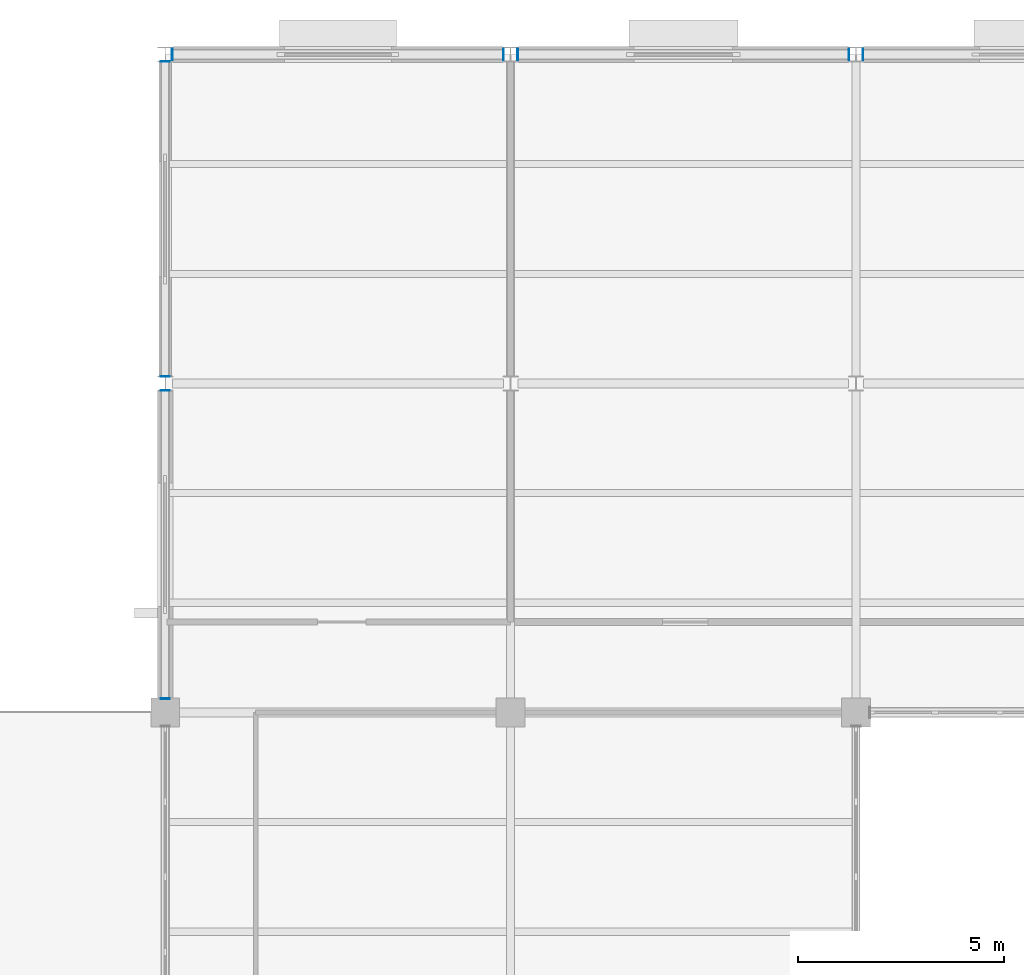
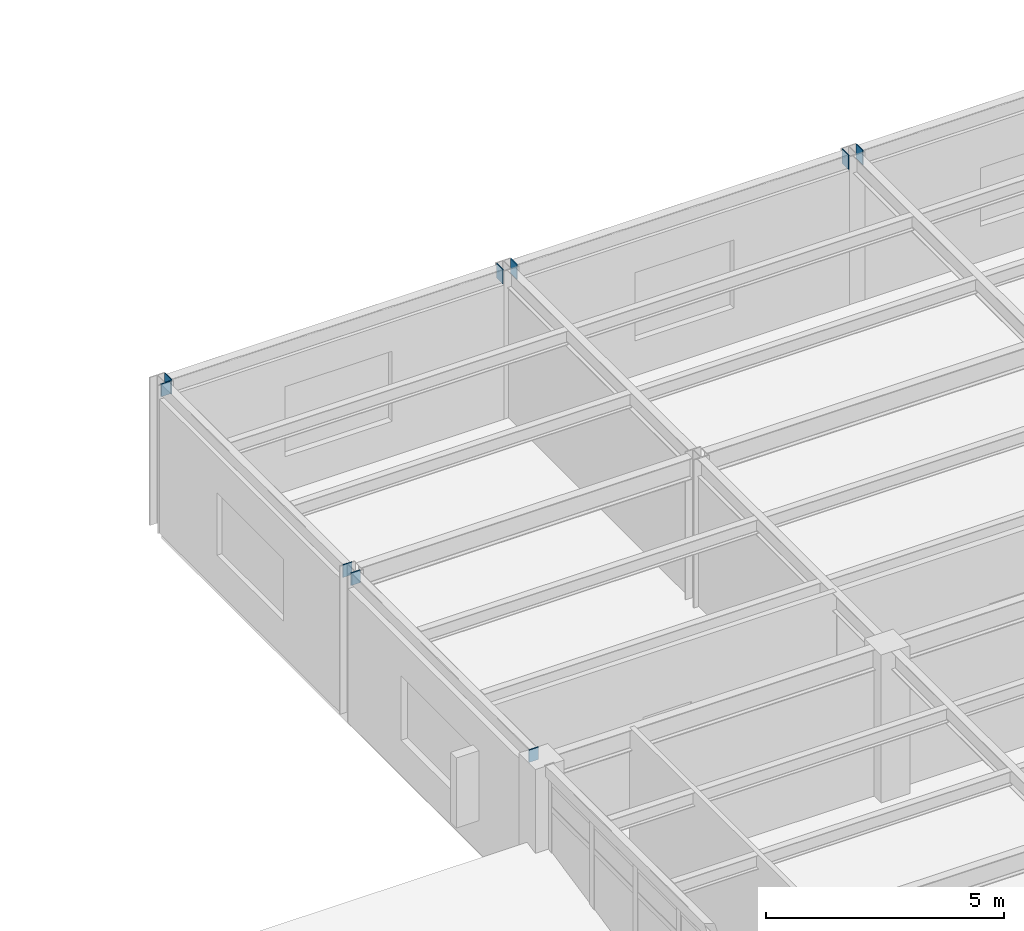
# One storey, part 117 of 138: 9 discrete accessories.
"""IFC4 building model written with IfcOpenShell, lengths in metres."""

from ifc_helpers import new_model, si_unit, direction, frame, origin, origin_2d, place, context, subcontext, project, spatial, rectangle, extrude, material, layer, layer_set, type_object, element, save


model = new_model("IFC4")

# Units and contexts
model_context = context("Model", 3, precision=1e-05, world=origin(), true_north=direction((0.0, 1.0)))
body_context = subcontext(model_context, "Body", "Model", "MODEL_VIEW")
ifc_project = project(units=[si_unit("LENGTHUNIT", "METRE"), si_unit("AREAUNIT", "SQUARE_METRE"), si_unit("VOLUMEUNIT", "CUBIC_METRE"), si_unit("PLANEANGLEUNIT", "RADIAN"), si_unit("MASSUNIT", "GRAM", prefix="KILO")], contexts=[model_context])

# Site, building, storey
site_placement = place(None, origin())
site = spatial("IfcSite", under=ifc_project, at=site_placement, CompositionType="ELEMENT")
building_placement = place(site_placement, origin())
building = spatial("IfcBuilding", under=site, at=building_placement, Name="Kranzveld Transit Interchange", CompositionType="ELEMENT")
storey_placement = place(building_placement, frame((0.0, 0.0, 5.43994140625)))
storey = spatial("IfcBuildingStorey", under=building, at=storey_placement, Name="L01", CompositionType="ELEMENT", Elevation=5.43994140625)

# Discrete accessories
ifc_material = material(Name="Steel S355JR", Category="steel")
ifc_layer = layer(ifc_material, 0.02001953125)
ifc_layer_set = layer_set([ifc_layer], Name="Steel S355JR")
discrete_accessory_type = type_object("IfcDiscreteAccessoryType", Name="Hollow Section End Cap Bracket 20 S355JR", PredefinedType="BRACKET", material=ifc_layer_set)
for number, where, z_axis, x_axis, name in (
    (1, (100.981201171875, 112.0, 3.625), (-1.0, 0.0, 0.0), (0.0, -1.0, 0.0), "Hollow Section End Cap SP-RHS350-1"),
    (2, (109.018798828125, 112.0, 3.625), (1.0, 0.0, 0.0), (0.0, 1.0, 0.0), "Hollow Section End Cap SP-RHS350-2"),
    (3, (109.38134765625, 112.0, 3.625), (-1.0, 0.0, 0.0), (0.0, -1.0, 0.0), "Hollow Section End Cap SP-RHS350-1"),
    (4, (117.418701171875, 112.0, 3.625), (1.0, 0.0, 0.0), (0.0, 1.0, 0.0), "Hollow Section End Cap SP-RHS350-2"),
    (5, (117.78125, 112.0, 3.625), (-1.0, 0.0, 0.0), (0.0, -1.0, 0.0), "Hollow Section End Cap SP-RHS350-1"),
):
    element("IfcDiscreteAccessory", number, at=place(storey_placement, frame(where, z_axis=z_axis, x_axis=x_axis)), inside=storey, type_object=discrete_accessory_type, Name=name, PredefinedType="BRACKET", context=body_context, shape_type="SweptSolid", body=[
        extrude(rectangle(XDim=0.27392578125, YDim=0.3740234375, at=origin_2d()), origin(), (0.0, 0.0, 1.0), 0.02001953125),
    ])
for number, where, z_axis, x_axis, name in (
    (6, (100.800048828125, 96.343994140625, 3.650146484375), (0.0, -1.0, 0.0), (1.0, 0.0, 0.0), "Hollow Section End Cap SP-RHS300-1"),
    (7, (100.800048828125, 103.818603515625, 3.650146484375), (0.0, 1.0, 0.0), (-1.0, 0.0, 0.0), "Hollow Section End Cap SP-RHS300-2"),
    (8, (100.800048828125, 104.181396484375, 3.650146484375), (0.0, -1.0, 0.0), (1.0, 0.0, 0.0), "Hollow Section End Cap SP-RHS300-1"),
    (9, (100.800048828125, 111.818603515625, 3.650146484375), (0.0, 1.0, 0.0), (-1.0, 0.0, 0.0), "Hollow Section End Cap SP-RHS300-2"),
):
    element("IfcDiscreteAccessory", number, at=place(storey_placement, frame(where, z_axis=z_axis, x_axis=x_axis)), inside=storey, type_object=discrete_accessory_type, Name=name, PredefinedType="BRACKET", context=body_context, shape_type="SweptSolid", body=[
        extrude(rectangle(XDim=0.22412109375, YDim=0.323974609375, at=origin_2d()), origin(), (0.0, 0.0, 1.0), 0.02001953125),
    ])

save(model, "model.ifc")
